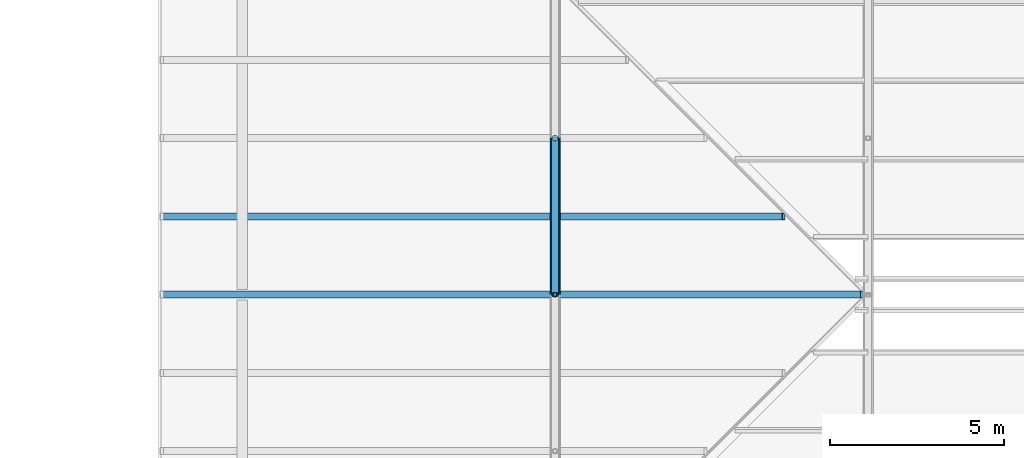
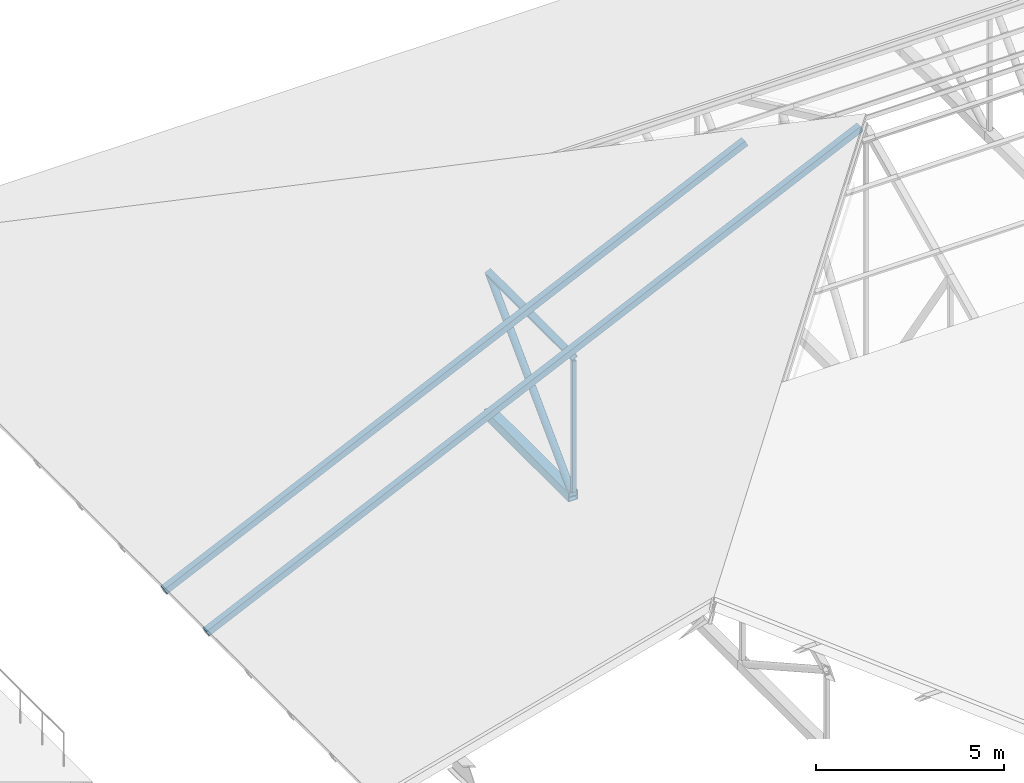
# One storey, part 51 of 154: 6 members.
"""IFC4 building model written with IfcOpenShell, lengths in metres."""

from ifc_helpers import new_model, si_unit, direction, frame, origin, origin_2d, place, context, subcontext, project, spatial, hollow_rectangle, hollow_circle, extrude, material, material_profile, profile_set, type_object, element, save


model = new_model("IFC4")

# Units and contexts
model_context = context("Model", 3, precision=1e-05, world=origin(), true_north=direction((0.0, 1.0)))
body_context = subcontext(model_context, "Body", "Model", "MODEL_VIEW")
ifc_project = project(units=[si_unit("LENGTHUNIT", "METRE"), si_unit("AREAUNIT", "SQUARE_METRE"), si_unit("VOLUMEUNIT", "CUBIC_METRE"), si_unit("PLANEANGLEUNIT", "RADIAN"), si_unit("MASSUNIT", "GRAM", prefix="KILO")], contexts=[model_context])

# Site, building, storey
site_placement = place(None, origin())
site = spatial("IfcSite", under=ifc_project, at=site_placement, CompositionType="ELEMENT")
building_placement = place(site_placement, origin())
building = spatial("IfcBuilding", under=site, at=building_placement, Name="Golden Quay Civic Hall", CompositionType="ELEMENT")
storey_placement = place(building_placement, frame((0.0, 0.0, 14.39990234375)))
storey = spatial("IfcBuildingStorey", under=building, at=storey_placement, Name="L03", CompositionType="ELEMENT", Elevation=14.39990234375)

# Members
ifc_material_1 = material(Name="Steel S355", Category="steel")
ifc_material_profile_1 = material_profile(ifc_material_1, hollow_rectangle(XDim=0.199951171875, YDim=0.199951171875, WallThickness=0.010009765625, at=origin_2d()), Name="SHS 200x200x10")
ifc_profile_set_1 = profile_set([ifc_material_profile_1], Name="Steel S355")
member_type_1 = type_object("IfcMemberType", Name="Steel jack rafter SHS 200x200x10", PredefinedType="RAFTER", material=ifc_profile_set_1)
member_1_placement = place(storey_placement, frame((114.699951171875, 81.0, -0.56787109375), z_axis=(0.906310620632, 0.0, 0.422612185023), x_axis=(0.0, 1.0, 0.0)))
element("IfcMember", 1, at=member_1_placement, inside=storey, type_object=member_type_1, Name="Jack rafter west 8 L03", PredefinedType="RAFTER", context=body_context, shape_type="SweptSolid", body=[
    extrude(hollow_rectangle(XDim=0.199951171875, YDim=0.199951171875, WallThickness=0.010009765625, at=origin_2d()), origin(), (0.0, 0.0, 1.0), 22.205322265625),
])
member_2_placement = place(storey_placement, frame((114.699951171875, 83.25, -0.56787109375), z_axis=(0.906308647572, 0.0, 0.422616416313), x_axis=(0.0, 1.0, 0.0)))
element("IfcMember", 2, at=member_2_placement, inside=storey, type_object=member_type_1, Name="Jack rafter west 9 L03", PredefinedType="RAFTER", context=body_context, shape_type="SweptSolid", body=[
    extrude(hollow_rectangle(XDim=0.199951171875, YDim=0.199951171875, WallThickness=0.010009765625, at=origin_2d()), origin(), (0.0, 0.0, 1.0), 19.722900390625),
])
ifc_material_2 = material(Name="Steel S355", Category="steel")
ifc_material_profile_2 = material_profile(ifc_material_2, hollow_rectangle(XDim=0.300048828125, YDim=0.300048828125, WallThickness=0.01611328125, at=origin_2d()), Name="SHS 300x300x16")
ifc_profile_set_2 = profile_set([ifc_material_profile_2], Name="Steel S355")
member_type_2 = type_object("IfcMemberType", Name="Steel truss bottom chord SHS 300x300x16", PredefinedType="USERDEFINED", material=ifc_profile_set_2)
member_3_placement = place(storey_placement, frame((126.0, 81.0, -0.099853515625), z_axis=(0.0, 1.0, 0.0), x_axis=(-1.0, 0.0, 0.0)))
element("IfcMember", 3, at=member_3_placement, inside=storey, type_object=member_type_2, Name="Truss 126 bottom chord 5 L03", ObjectType="TRUSS BOTTOM CHORD", PredefinedType="USERDEFINED", context=body_context, shape_type="SweptSolid", body=[
    extrude(hollow_rectangle(XDim=0.300048828125, YDim=0.300048828125, WallThickness=0.01611328125, at=origin_2d()), origin(), (0.0, 0.0, 1.0), 4.5),
])
ifc_material_3 = material(Name="Steel S355", Category="steel")
ifc_material_profile_3 = material_profile(ifc_material_3, hollow_circle(Radius=0.109619140625, WallThickness=0.010009765625, at=origin_2d()), Name="CHS 219.1x10")
ifc_profile_set_3 = profile_set([ifc_material_profile_3], Name="Steel S355")
member_type_3 = type_object("IfcMemberType", Name="Steel truss diagonal CHS 219.1x10", PredefinedType="BRACE", material=ifc_profile_set_3)
member_4_placement = place(storey_placement, frame((126.0, 81.0, -0.099853515625), z_axis=(0.0, 0.704254536807, 0.709947566646), x_axis=(-1.0, 0.0, 0.0)))
element("IfcMember", 4, at=member_4_placement, inside=storey, type_object=member_type_3, Name="Truss 126 diagonal 5 L03", PredefinedType="BRACE", context=body_context, shape_type="SweptSolid", body=[
    extrude(hollow_circle(Radius=0.109619140625, WallThickness=0.010009765625, at=origin_2d()), origin(), (0.0, 0.0, 1.0), 6.3896484375),
])
ifc_material_4 = material(Name="Steel S355", Category="steel")
ifc_material_profile_4 = material_profile(ifc_material_4, hollow_rectangle(XDim=0.1201171875, YDim=0.1201171875, WallThickness=0.008056640625, at=origin_2d()), Name="SHS 120x120x8")
ifc_profile_set_4 = profile_set([ifc_material_profile_4], Name="Steel S355")
member_type_4 = type_object("IfcMemberType", Name="Steel truss post SHS 120x120x8", PredefinedType="USERDEFINED", material=ifc_profile_set_4)
member_5_placement = place(storey_placement, frame((126.0, 81.0, 0.050048828125), z_axis=(0.0, 0.0, 1.0), x_axis=(1.0, 0.0, 0.0)))
element("IfcMember", 5, at=member_5_placement, inside=storey, type_object=member_type_4, Name="Truss 126 post 5 L03", ObjectType="TRUSS POST", PredefinedType="USERDEFINED", context=body_context, shape_type="SweptSolid", body=[
    extrude(hollow_rectangle(XDim=0.1201171875, YDim=0.1201171875, WallThickness=0.008056640625, at=origin_2d()), origin(), (0.0, 0.0, 1.0), 4.276123046875),
])
ifc_material_5 = material(Name="Steel S355", Category="steel")
ifc_material_profile_5 = material_profile(ifc_material_5, hollow_rectangle(XDim=0.199951171875, YDim=0.199951171875, WallThickness=0.010009765625, at=origin_2d()), Name="SHS 200x200x10")
ifc_profile_set_5 = profile_set([ifc_material_profile_5], Name="Steel S355")
member_type_5 = type_object("IfcMemberType", Name="Steel truss top chord SHS 200x200x10", PredefinedType="USERDEFINED", material=ifc_profile_set_5)
member_6_placement = place(storey_placement, frame((126.0, 81.0, 4.4365234375), z_axis=(0.0, 1.0, 0.0), x_axis=(-0.906307787037, 0.0, -0.422618261741)))
element("IfcMember", 6, at=member_6_placement, inside=storey, type_object=member_type_5, Name="Truss 126 top chord 6 L03", ObjectType="TRUSS TOP CHORD", PredefinedType="USERDEFINED", context=body_context, shape_type="SweptSolid", body=[
    extrude(hollow_rectangle(XDim=0.199951171875, YDim=0.199951171875, WallThickness=0.010009765625, at=origin_2d()), origin(), (0.0, 0.0, 1.0), 4.5),
])

save(model, "model.ifc")
